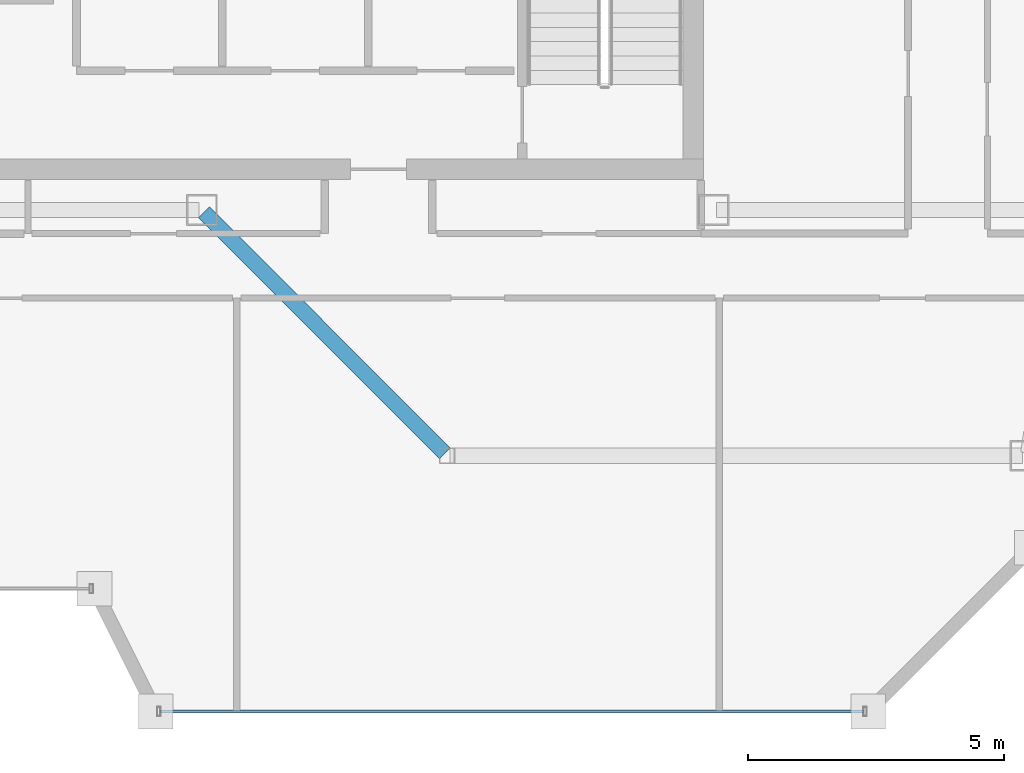
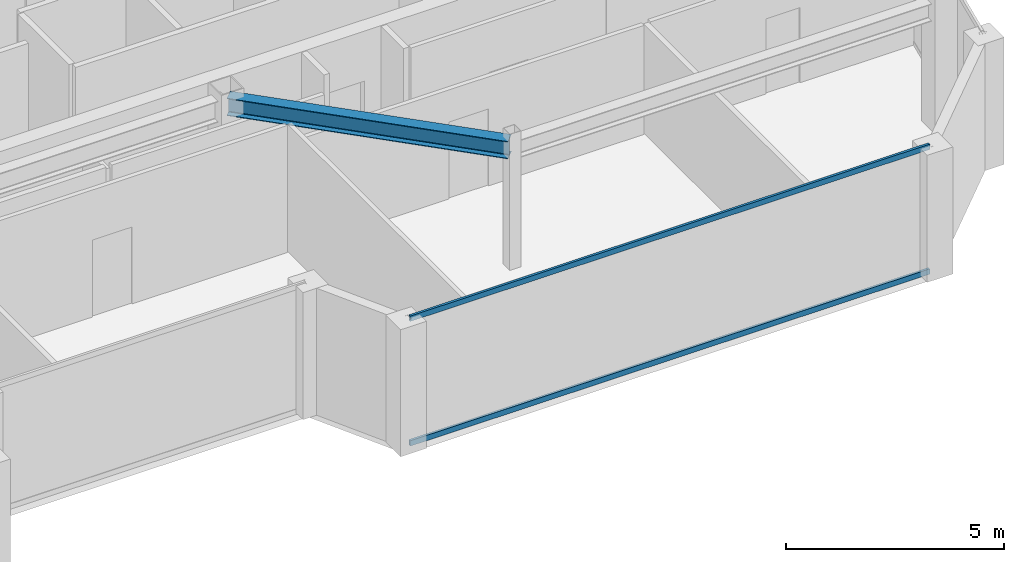
# One storey, part 12 of 24: 2 members, 1 beam, 1 element without a shape of its own.
"""IFC4 building model written with IfcOpenShell, lengths in metres."""

from ifc_helpers import new_model, si_unit, direction, frame, origin, origin_2d, place, context, subcontext, project, spatial, hollow_rectangle, i_section, extrude, material, material_profile, profile_set, type_object, element, aggregate, save


model = new_model("IFC4")

# Units and contexts
model_context = context("Model", 3, precision=1e-05, world=origin(), true_north=direction((0.0, 1.0)))
body_context = subcontext(model_context, "Body", "Model", "MODEL_VIEW")
ifc_project = project(units=[si_unit("LENGTHUNIT", "METRE"), si_unit("AREAUNIT", "SQUARE_METRE"), si_unit("VOLUMEUNIT", "CUBIC_METRE"), si_unit("PLANEANGLEUNIT", "RADIAN"), si_unit("MASSUNIT", "GRAM", prefix="KILO")], contexts=[model_context])

# Site, building, storey
site_placement = place(None, origin())
site = spatial("IfcSite", under=ifc_project, at=site_placement, CompositionType="ELEMENT")
building_placement = place(site_placement, origin())
building = spatial("IfcBuilding", under=site, at=building_placement, Name="Saevonmaru Cultural Tower", CompositionType="ELEMENT")
storey_placement = place(building_placement, frame((0.0, 0.0, 299.0)))
storey = spatial("IfcBuildingStorey", under=building, at=storey_placement, Name="L71", CompositionType="ELEMENT", Elevation=299.0)

# Beam
ifc_material_1 = material(Name="Steel SM355", Category="steel")
ifc_material_profile_1 = material_profile(ifc_material_1, i_section(OverallWidth=0.300048828125, OverallDepth=0.488037109375, WebThickness=0.010986328125, FlangeThickness=0.01806640625, FilletRadius=0.02197265625, at=origin_2d()), Name="H-488x300x11x18")
ifc_profile_set_1 = profile_set([ifc_material_profile_1], Name="Steel SM355")
beam_type = type_object("IfcBeamType", Name="BM-G-H488", PredefinedType="BEAM", material=ifc_profile_set_1)
beam_placement = place(storey_placement, frame((41.149658203125, 37.642578125, 3.305908203125), z_axis=(-0.706538566564, 0.707674539572, 0.0), x_axis=(-0.707674539572, -0.706538566564, 0.0)))
element("IfcBeam", 1, at=beam_placement, inside=storey, type_object=beam_type, Name="L71 East Atrium Girder 1", PredefinedType="BEAM", context=body_context, shape_type="SweptSolid", body=[
    extrude(i_section(OverallWidth=0.300048828125, OverallDepth=0.488037109375, WebThickness=0.010986328125, FlangeThickness=0.01806640625, FilletRadius=0.02197265625, at=origin_2d()), origin(), (0.0, 0.0, 1.0), 6.662353515625),
])

# Curtain wall, members
ifc_material_2 = material(Name="Satin Bronze Anodised Aluminium", Category="aluminium")
curtain_wall_type = type_object("IfcCurtainWallType", Name="CW-TYP-B", PredefinedType="NOTDEFINED", material=ifc_material_2)
curtain_wall_placement = place(storey_placement, origin())
curtain_wall = element("IfcCurtainWall", 2, at=curtain_wall_placement, inside=storey, type_object=curtain_wall_type, Name="L71 Unitised Curtain Wall E6", PredefinedType="NOTDEFINED")
ifc_material_profile_2 = material_profile(ifc_material_2, hollow_rectangle(XDim=0.06494140625, YDim=0.14990234375, WallThickness=0.00390625, at=origin_2d()), Name="ALU-TRAN-150x65x4")
ifc_profile_set_2 = profile_set([ifc_material_profile_2], Name="Satin Bronze Anodised Aluminium")
member_type = type_object("IfcMemberType", Name="TR-CW-150x65", PredefinedType="USERDEFINED", material=ifc_profile_set_2)
member_1_placement = place(storey_placement, frame((35.592529296875, 32.60009765625, 0.032470703125), z_axis=(1.0, 0.0, 0.0), x_axis=(0.0, 1.0, 0.0)))
member_1 = element("IfcMember", 3, at=member_1_placement, type_object=member_type, Name="CW-TW-L71-E6 transom 1.1", ObjectType="TRANSOM", PredefinedType="USERDEFINED", context=body_context, shape_type="SweptSolid", body=[
    extrude(hollow_rectangle(XDim=0.06494140625, YDim=0.14990234375, WallThickness=0.00390625, at=origin_2d()), origin(), (0.0, 0.0, 1.0), 13.73486328125),
])
member_2_placement = place(storey_placement, frame((35.592529296875, 32.60009765625, 3.517578125), z_axis=(1.0, 0.0, 0.0), x_axis=(0.0, 1.0, 0.0)))
member_2 = element("IfcMember", 4, at=member_2_placement, type_object=member_type, Name="CW-TW-L71-E6 transom 1.2", ObjectType="TRANSOM", PredefinedType="USERDEFINED", context=body_context, shape_type="SweptSolid", body=[
    extrude(hollow_rectangle(XDim=0.06494140625, YDim=0.14990234375, WallThickness=0.00390625, at=origin_2d()), origin(), (0.0, 0.0, 1.0), 13.73486328125),
])
aggregate(curtain_wall, [member_1, member_2])

save(model, "model.ifc")
